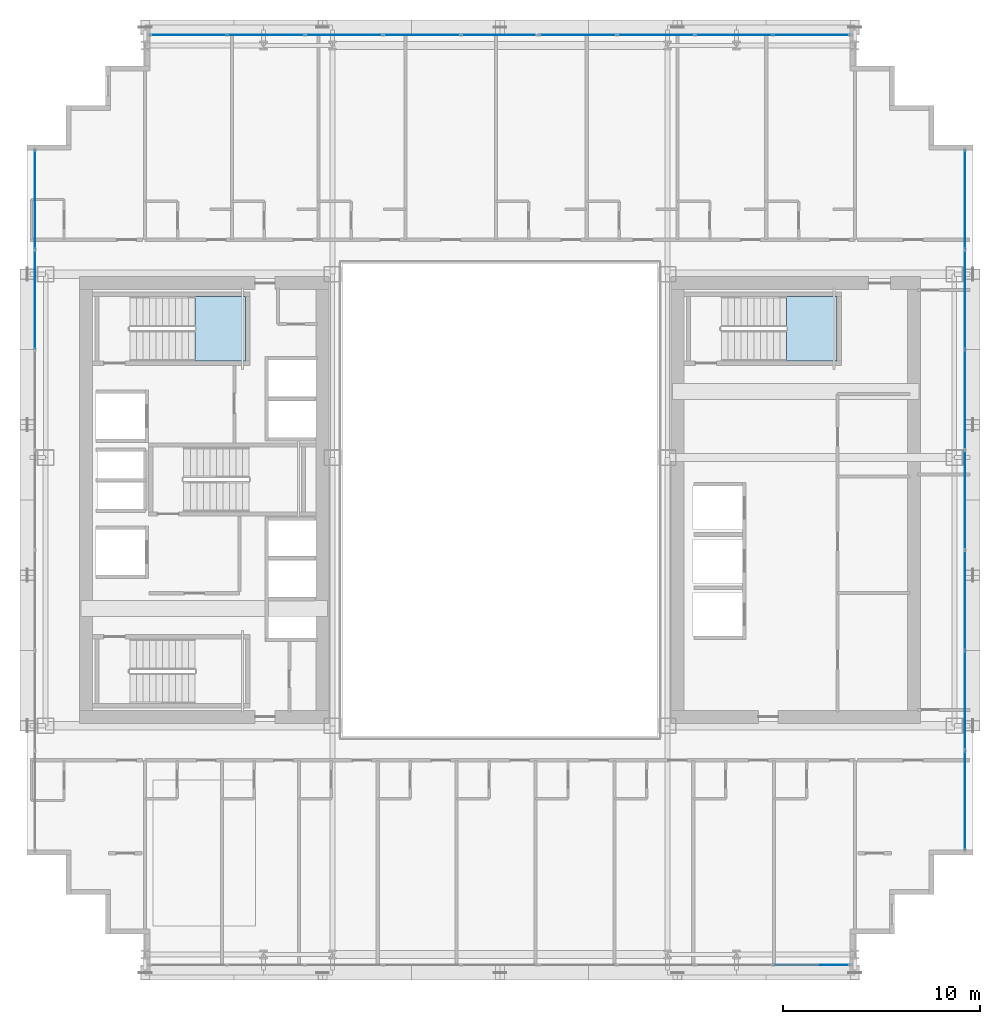
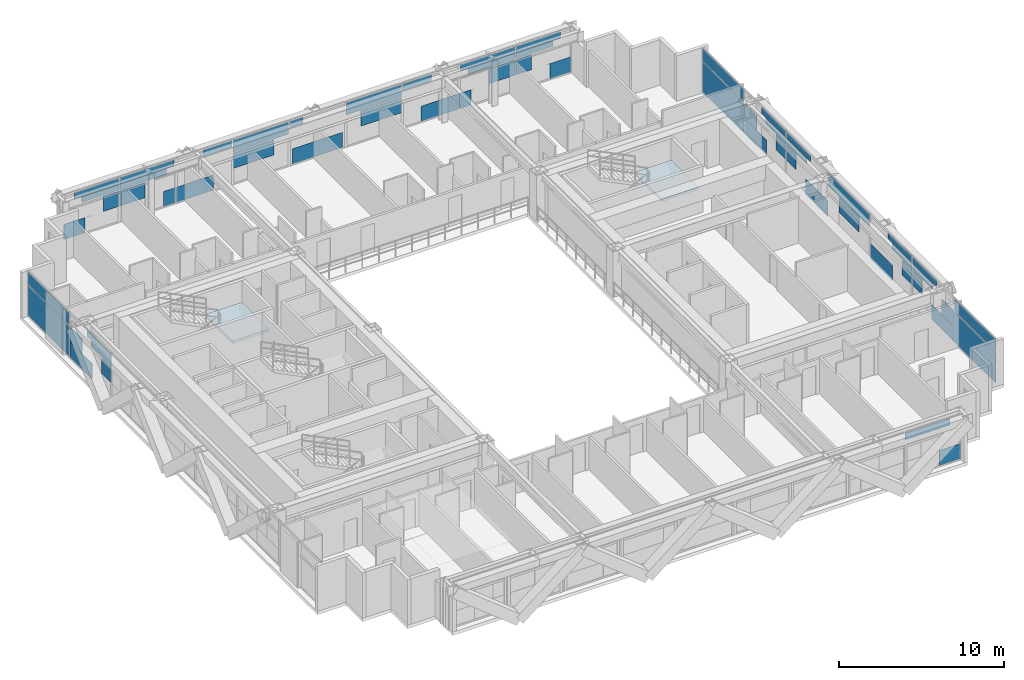
# One storey, part 24 of 36: 59 plates, 2 slabs, 6 elements without a shape of their own.
"""IFC4 building model written with IfcOpenShell, lengths in metres."""

from ifc_helpers import new_model, si_unit, direction, frame, origin, origin_2d, place, context, subcontext, project, spatial, polyline, rectangle, outline, extrude, source, transform, mapped, material, layer, layer_set, type_object, element, aggregate, save


model = new_model("IFC4")

# Units and contexts
model_context = context("Model", 3, precision=1e-05, world=origin(), true_north=direction((0.0, 1.0)))
body_context = subcontext(model_context, "Body", "Model", "MODEL_VIEW")
ifc_project = project(units=[si_unit("LENGTHUNIT", "METRE"), si_unit("AREAUNIT", "SQUARE_METRE"), si_unit("VOLUMEUNIT", "CUBIC_METRE"), si_unit("PLANEANGLEUNIT", "RADIAN"), si_unit("MASSUNIT", "GRAM", prefix="KILO")], contexts=[model_context])

# Site, building, storey
site_placement = place(None, origin())
site = spatial("IfcSite", under=ifc_project, at=site_placement, CompositionType="ELEMENT")
building_placement = place(site_placement, origin())
building = spatial("IfcBuilding", under=site, at=building_placement, Name="Ocotamira Hotel", CompositionType="ELEMENT")
storey_placement = place(building_placement, frame((0.0, 0.0, 136.800048828125)))
storey = spatial("IfcBuildingStorey", under=building, at=storey_placement, Name="L34", CompositionType="ELEMENT", Elevation=136.800048828125)

# Stair, slab
ifc_material_1 = material(Name="Concrete C40/50", Category="concrete")
stair_type = type_object("IfcStairType", Name="ST-CORE-1560", PredefinedType="HALF_TURN_STAIR", material=ifc_material_1)
stair_1_placement = place(storey_placement, origin())
stair_1 = element("IfcStair", 1, at=stair_1_placement, inside=storey, type_object=stair_type, Name="L34 Exit Stair ST-2", PredefinedType="HALF_TURN_STAIR")
ifc_layer_1 = layer(ifc_material_1, 0.199951171875)
ifc_layer_set_1 = layer_set([ifc_layer_1], Name="Concrete C40/50")
slab_type = type_object("IfcSlabType", Name="SLB-LAND-200", PredefinedType="LANDING", material=ifc_layer_set_1)
slab_1_placement = place(storey_placement, frame((0.0, 0.0, 1.599853515625)))
slab_1 = element("IfcSlab", 2, at=slab_1_placement, type_object=slab_type, Name="ST-2 landing 1", PredefinedType="LANDING", context=body_context, shape_type="SweptSolid", body=[
    extrude(outline(polyline([(16.530029296875, 33.050048828125), (19.090087890625, 33.050048828125), (19.090087890625, 36.330078125), (16.530029296875, 36.330078125), (16.530029296875, 33.050048828125)])), origin(), (0.0, 0.0, 1.0), 0.2001953125),
])
aggregate(stair_1, [slab_1])

stair_2_placement = place(storey_placement, origin())
stair_2 = element("IfcStair", 3, at=stair_2_placement, inside=storey, type_object=stair_type, Name="L34 Exit Stair ST-4", PredefinedType="HALF_TURN_STAIR")
slab_2_placement = place(storey_placement, frame((0.0, 0.0, 1.599853515625)))
slab_2 = element("IfcSlab", 4, at=slab_2_placement, type_object=slab_type, Name="ST-4 landing 1", PredefinedType="LANDING", context=body_context, shape_type="SweptSolid", body=[
    extrude(outline(polyline([(46.530029296875, 33.050048828125), (49.090087890625, 33.050048828125), (49.090087890625, 36.330078125), (46.530029296875, 36.330078125), (46.530029296875, 33.050048828125)])), origin(), (0.0, 0.0, 1.0), 0.2001953125),
])
aggregate(stair_2, [slab_2])

# Curtain wall, plate
ifc_material_2 = material(Name="Anodised pale-metal aluminium and solar glass", Category="aluminium")
ifc_layer_2 = layer(ifc_material_2, 0.179931640625)
ifc_layer_set_2 = layer_set([ifc_layer_2], Name="Anodised pale-metal aluminium and solar glass")
curtain_wall_type = type_object("IfcCurtainWallType", Name="CW-SYS3-Z2", PredefinedType="NOTDEFINED", material=ifc_layer_set_2)
curtain_wall_1_placement = place(storey_placement, origin())
curtain_wall_1 = element("IfcCurtainWall", 5, at=curtain_wall_1_placement, inside=storey, type_object=curtain_wall_type, Name="L34 Curtain Wall CW-3 CW-L34-W", PredefinedType="NOTDEFINED")
ifc_material_3 = material(Name="Double-silver low-E insulated solar glass", Category="glass")
ifc_layer_3 = layer(ifc_material_3, 0.031982421875)
ifc_layer_set_3 = layer_set([ifc_layer_3], Name="Double-silver low-E insulated solar glass")
plate_type = type_object("IfcPlateType", Name="CWP-VISION-32", PredefinedType="CURTAIN_PANEL", material=ifc_layer_set_3)
shared_shape_1 = source(origin(), body_context, "Body", "SweptSolid", [
    extrude(rectangle(XDim=4.9658203125, YDim=0.031982421875, at=origin_2d()), origin(), (0.0, 0.0, 1.0), 2.237548828125),
])
plate_1_placement = place(storey_placement, frame((8.419921875, 41.237060546875, 0.07470703125), z_axis=(0.0, 0.0, 1.0), x_axis=(0.0, 1.0, 0.0)))
plate_1 = element("IfcPlate", 6, at=plate_1_placement, type_object=plate_type, Name="CW-3 panel 7.1", PredefinedType="CURTAIN_PANEL", context=body_context, shape_type="MappedRepresentation", body=[
    mapped(shared_shape_1, transform((0.0, 0.0, 0.0), scale=1.0)),
])

# Curtain wall, plates
curtain_wall_2_placement = place(storey_placement, origin())
curtain_wall_2 = element("IfcCurtainWall", 7, at=curtain_wall_2_placement, inside=storey, type_object=curtain_wall_type, Name="L34 Curtain Wall CW-3 CW-L34-E", PredefinedType="NOTDEFINED")
plate_2_placement = place(storey_placement, frame((55.580078125, 10.762939453125, 0.07470703125), z_axis=(0.0, 0.0, 1.0), x_axis=(0.0, 1.0, 0.0)))
plate_2 = element("IfcPlate", 8, at=plate_2_placement, type_object=plate_type, Name="CW-3 panel 1.1", PredefinedType="CURTAIN_PANEL", context=body_context, shape_type="MappedRepresentation", body=[
    mapped(shared_shape_1, transform((0.0, 0.0, 0.0), scale=1.0)),
])
plate_3_placement = place(storey_placement, frame((55.580078125, 41.237060546875, 0.07470703125), z_axis=(0.0, 0.0, 1.0), x_axis=(0.0, 1.0, 0.0)))
plate_3 = element("IfcPlate", 9, at=plate_3_placement, type_object=plate_type, Name="CW-3 panel 7.1", PredefinedType="CURTAIN_PANEL", context=body_context, shape_type="MappedRepresentation", body=[
    mapped(shared_shape_1, transform((0.0, 0.0, 0.0), scale=1.0)),
])

curtain_wall_3_placement = place(storey_placement, origin())
curtain_wall_3 = element("IfcCurtainWall", 10, at=curtain_wall_3_placement, inside=storey, type_object=curtain_wall_type, Name="L34 Curtain Wall CW-3 CW-L34-N", PredefinedType="NOTDEFINED")
shared_shape_2 = source(origin(), body_context, "Body", "SweptSolid", [
    extrude(rectangle(XDim=3.87548828125, YDim=0.031982421875, at=origin_2d()), origin(), (0.0, 0.0, 1.0), 0.8974609375),
])
plate_4_placement = place(storey_placement, frame((28.04443359375, 49.580078125, 2.387451171875), z_axis=(0.0, 0.0, 1.0), x_axis=(1.0, 0.0, 0.0)))
plate_4 = element("IfcPlate", 11, at=plate_4_placement, type_object=plate_type, Name="CW-3 panel 4.2", PredefinedType="CURTAIN_PANEL", context=body_context, shape_type="MappedRepresentation", body=[
    mapped(shared_shape_2, transform((0.0, 0.0, 0.0), scale=1.0)),
])
plate_5_placement = place(storey_placement, frame((35.95556640625, 49.580078125, 2.387451171875), z_axis=(0.0, 0.0, 1.0), x_axis=(1.0, 0.0, 0.0)))
plate_5 = element("IfcPlate", 12, at=plate_5_placement, type_object=plate_type, Name="CW-3 panel 6.2", PredefinedType="CURTAIN_PANEL", context=body_context, shape_type="MappedRepresentation", body=[
    mapped(shared_shape_2, transform((0.0, 0.0, 0.0), scale=1.0)),
])

# Plate
shared_shape_3 = source(origin(), body_context, "Body", "SweptSolid", [
    extrude(rectangle(XDim=4.9658203125, YDim=0.031982421875, at=origin_2d()), origin(), (0.0, 0.0, 1.0), 0.8974609375),
])
plate_6_placement = place(storey_placement, frame((8.419921875, 41.237060546875, 2.387451171875), z_axis=(0.0, 0.0, 1.0), x_axis=(0.0, 1.0, 0.0)))
plate_6 = element("IfcPlate", 13, at=plate_6_placement, type_object=plate_type, Name="CW-3 panel 7.2", PredefinedType="CURTAIN_PANEL", context=body_context, shape_type="MappedRepresentation", body=[
    mapped(shared_shape_3, transform((0.0, 0.0, 0.0), scale=1.0)),
])

plate_7_placement = place(storey_placement, frame((55.580078125, 10.762939453125, 2.387451171875), z_axis=(0.0, 0.0, 1.0), x_axis=(0.0, 1.0, 0.0)))
plate_7 = element("IfcPlate", 14, at=plate_7_placement, type_object=plate_type, Name="CW-3 panel 1.2", PredefinedType="CURTAIN_PANEL", context=body_context, shape_type="MappedRepresentation", body=[
    mapped(shared_shape_3, transform((0.0, 0.0, 0.0), scale=1.0)),
])

plate_8_placement = place(storey_placement, frame((55.580078125, 41.237060546875, 2.387451171875), z_axis=(0.0, 0.0, 1.0), x_axis=(0.0, 1.0, 0.0)))
plate_8 = element("IfcPlate", 15, at=plate_8_placement, type_object=plate_type, Name="CW-3 panel 7.2", PredefinedType="CURTAIN_PANEL", context=body_context, shape_type="MappedRepresentation", body=[
    mapped(shared_shape_3, transform((0.0, 0.0, 0.0), scale=1.0)),
])

shared_shape_4 = source(origin(), body_context, "Body", "SweptSolid", [
    extrude(rectangle(XDim=2.404296875, YDim=0.031982421875, at=origin_2d()), origin(), (0.0, 0.0, 1.0), 1.118896484375),
])
plate_9_placement = place(storey_placement, frame((55.580078125, 26.0, 1.193359375), z_axis=(0.0, 0.0, 1.0), x_axis=(0.0, 1.0, 0.0)))
plate_9 = element("IfcPlate", 16, at=plate_9_placement, type_object=plate_type, Name="CW-3 panel 4.1.1", PredefinedType="CURTAIN_PANEL", context=body_context, shape_type="MappedRepresentation", body=[
    mapped(shared_shape_4, transform((0.0, 0.0, 0.0), scale=1.0)),
])

# Curtain wall, plate
curtain_wall_4_placement = place(storey_placement, origin())
curtain_wall_4 = element("IfcCurtainWall", 17, at=curtain_wall_4_placement, inside=storey, type_object=curtain_wall_type, Name="L34 Curtain Wall CW-3 CW-L34-S1", PredefinedType="NOTDEFINED")
shared_shape_5 = source(origin(), body_context, "Body", "SweptSolid", [
    extrude(rectangle(XDim=1.47509765625, YDim=0.031982421875, at=origin_2d()), origin(), (0.0, 0.0, 1.0), 1.118896484375),
])
plate_10_placement = place(storey_placement, frame((48.982421875, 2.419921875, 0.07470703125), z_axis=(0.0, 0.0, 1.0), x_axis=(1.0, 0.0, 0.0)))
plate_10 = element("IfcPlate", 18, at=plate_10_placement, type_object=plate_type, Name="CW-3 panel 9.1.2", PredefinedType="CURTAIN_PANEL", context=body_context, shape_type="MappedRepresentation", body=[
    mapped(shared_shape_5, transform((0.0, 0.0, 0.0), scale=1.0)),
])

# Plate
plate_11_placement = place(storey_placement, frame((15.017578125, 49.580078125, 0.07470703125), z_axis=(0.0, 0.0, 1.0), x_axis=(1.0, 0.0, 0.0)))
plate_11 = element("IfcPlate", 19, at=plate_11_placement, type_object=plate_type, Name="CW-3 panel 1.1.1", PredefinedType="CURTAIN_PANEL", context=body_context, shape_type="MappedRepresentation", body=[
    mapped(shared_shape_5, transform((0.0, 0.0, 0.0), scale=1.0)),
])

plate_12_placement = place(storey_placement, frame((48.982421875, 49.580078125, 0.07470703125), z_axis=(0.0, 0.0, 1.0), x_axis=(1.0, 0.0, 0.0)))
plate_12 = element("IfcPlate", 20, at=plate_12_placement, type_object=plate_type, Name="CW-3 panel 9.1.2", PredefinedType="CURTAIN_PANEL", context=body_context, shape_type="MappedRepresentation", body=[
    mapped(shared_shape_5, transform((0.0, 0.0, 0.0), scale=1.0)),
])

shared_shape_6 = source(origin(), body_context, "Body", "SweptSolid", [
    extrude(rectangle(XDim=3.104248046875, YDim=0.031982421875, at=origin_2d()), origin(), (0.0, 0.0, 1.0), 0.4716796875),
])
plate_13_placement = place(storey_placement, frame((47.4365234375, 2.419921875, 2.813232421875), z_axis=(0.0, 0.0, 1.0), x_axis=(1.0, 0.0, 0.0)))
plate_13 = element("IfcPlate", 21, at=plate_13_placement, type_object=plate_type, Name="CW-3 panel 9.2.2", PredefinedType="CURTAIN_PANEL", context=body_context, shape_type="MappedRepresentation", body=[
    mapped(shared_shape_6, transform((0.0, 0.0, 0.0), scale=1.0)),
])

aggregate(curtain_wall_4, [plate_10, plate_13])

plate_14_placement = place(storey_placement, frame((16.5634765625, 49.580078125, 2.813232421875), z_axis=(0.0, 0.0, 1.0), x_axis=(1.0, 0.0, 0.0)))
plate_14 = element("IfcPlate", 22, at=plate_14_placement, type_object=plate_type, Name="CW-3 panel 1.2.1", PredefinedType="CURTAIN_PANEL", context=body_context, shape_type="MappedRepresentation", body=[
    mapped(shared_shape_6, transform((0.0, 0.0, 0.0), scale=1.0)),
])

plate_15_placement = place(storey_placement, frame((47.4365234375, 49.580078125, 2.813232421875), z_axis=(0.0, 0.0, 1.0), x_axis=(1.0, 0.0, 0.0)))
plate_15 = element("IfcPlate", 23, at=plate_15_placement, type_object=plate_type, Name="CW-3 panel 9.2.2", PredefinedType="CURTAIN_PANEL", context=body_context, shape_type="MappedRepresentation", body=[
    mapped(shared_shape_6, transform((0.0, 0.0, 0.0), scale=1.0)),
])

shared_shape_7 = source(origin(), body_context, "Body", "SweptSolid", [
    extrude(rectangle(XDim=2.572021484375, YDim=0.031982421875, at=origin_2d()), origin(), (0.0, 0.0, 1.0), 0.39453125),
])
plate_16_placement = place(storey_placement, frame((16.82958984375, 49.580078125, 2.387451171875), z_axis=(0.0, 0.0, 1.0), x_axis=(1.0, 0.0, 0.0)))
plate_16 = element("IfcPlate", 24, at=plate_16_placement, type_object=plate_type, Name="CW-3 panel 1.2.2", PredefinedType="CURTAIN_PANEL", context=body_context, shape_type="MappedRepresentation", body=[
    mapped(shared_shape_7, transform((0.0, 0.0, 0.0), scale=1.0)),
])

plate_17_placement = place(storey_placement, frame((47.17041015625, 49.580078125, 2.387451171875), z_axis=(0.0, 0.0, 1.0), x_axis=(1.0, 0.0, 0.0)))
plate_17 = element("IfcPlate", 25, at=plate_17_placement, type_object=plate_type, Name="CW-3 panel 9.2.1", PredefinedType="CURTAIN_PANEL", context=body_context, shape_type="MappedRepresentation", body=[
    mapped(shared_shape_7, transform((0.0, 0.0, 0.0), scale=1.0)),
])

shared_shape_8 = source(origin(), body_context, "Body", "SweptSolid", [
    extrude(rectangle(XDim=0.826171875, YDim=0.031982421875, at=origin_2d()), origin(), (0.0, 0.0, 1.0), 1.118896484375),
])
plate_18_placement = place(storey_placement, frame((21.658203125, 49.580078125, 0.07470703125), z_axis=(0.0, 0.0, 1.0), x_axis=(1.0, 0.0, 0.0)))
plate_18 = element("IfcPlate", 26, at=plate_18_placement, type_object=plate_type, Name="CW-3 panel 2.1.2", PredefinedType="CURTAIN_PANEL", context=body_context, shape_type="MappedRepresentation", body=[
    mapped(shared_shape_8, transform((0.0, 0.0, 0.0), scale=1.0)),
])

plate_19_placement = place(storey_placement, frame((42.341796875, 49.580078125, 0.07470703125), z_axis=(0.0, 0.0, 1.0), x_axis=(1.0, 0.0, 0.0)))
plate_19 = element("IfcPlate", 27, at=plate_19_placement, type_object=plate_type, Name="CW-3 panel 8.1.1", PredefinedType="CURTAIN_PANEL", context=body_context, shape_type="MappedRepresentation", body=[
    mapped(shared_shape_8, transform((0.0, 0.0, 0.0), scale=1.0)),
])

shared_shape_9 = source(origin(), body_context, "Body", "SweptSolid", [
    extrude(rectangle(XDim=3.260986328125, YDim=0.031982421875, at=origin_2d()), origin(), (0.0, 0.0, 1.0), 0.42578125),
])
plate_20_placement = place(storey_placement, frame((19.826171875, 49.580078125, 2.387451171875), z_axis=(0.0, 0.0, 1.0), x_axis=(1.0, 0.0, 0.0)))
plate_20 = element("IfcPlate", 28, at=plate_20_placement, type_object=plate_type, Name="CW-3 panel 2.2.1", PredefinedType="CURTAIN_PANEL", context=body_context, shape_type="MappedRepresentation", body=[
    mapped(shared_shape_9, transform((0.0, 0.0, 0.0), scale=1.0)),
])

plate_21_placement = place(storey_placement, frame((44.173828125, 49.580078125, 2.387451171875), z_axis=(0.0, 0.0, 1.0), x_axis=(1.0, 0.0, 0.0)))
plate_21 = element("IfcPlate", 29, at=plate_21_placement, type_object=plate_type, Name="CW-3 panel 8.2.2", PredefinedType="CURTAIN_PANEL", context=body_context, shape_type="MappedRepresentation", body=[
    mapped(shared_shape_9, transform((0.0, 0.0, 0.0), scale=1.0)),
])

shared_shape_10 = source(origin(), body_context, "Body", "SweptSolid", [
    extrude(rectangle(XDim=3.793212890625, YDim=0.031982421875, at=origin_2d()), origin(), (0.0, 0.0, 1.0), 0.4716796875),
])
plate_22_placement = place(storey_placement, frame((20.09228515625, 49.580078125, 2.813232421875), z_axis=(0.0, 0.0, 1.0), x_axis=(1.0, 0.0, 0.0)))
plate_22 = element("IfcPlate", 30, at=plate_22_placement, type_object=plate_type, Name="CW-3 panel 2.2.2", PredefinedType="CURTAIN_PANEL", context=body_context, shape_type="MappedRepresentation", body=[
    mapped(shared_shape_10, transform((0.0, 0.0, 0.0), scale=1.0)),
])

plate_23_placement = place(storey_placement, frame((43.90771484375, 49.580078125, 2.813232421875), z_axis=(0.0, 0.0, 1.0), x_axis=(1.0, 0.0, 0.0)))
plate_23 = element("IfcPlate", 31, at=plate_23_placement, type_object=plate_type, Name="CW-3 panel 8.2.1", PredefinedType="CURTAIN_PANEL", context=body_context, shape_type="MappedRepresentation", body=[
    mapped(shared_shape_10, transform((0.0, 0.0, 0.0), scale=1.0)),
])

shared_shape_11 = source(origin(), body_context, "Body", "SweptSolid", [
    extrude(rectangle(XDim=2.60400390625, YDim=0.031982421875, at=origin_2d()), origin(), (0.0, 0.0, 1.0), 1.118896484375),
])
plate_24_placement = place(storey_placement, frame((23.453125, 49.580078125, 0.07470703125), z_axis=(0.0, 0.0, 1.0), x_axis=(1.0, 0.0, 0.0)))
plate_24 = element("IfcPlate", 32, at=plate_24_placement, type_object=plate_type, Name="CW-3 panel 3.1.1", PredefinedType="CURTAIN_PANEL", context=body_context, shape_type="MappedRepresentation", body=[
    mapped(shared_shape_11, transform((0.0, 0.0, 0.0), scale=1.0)),
])

plate_25_placement = place(storey_placement, frame((40.546875, 49.580078125, 0.07470703125), z_axis=(0.0, 0.0, 1.0), x_axis=(1.0, 0.0, 0.0)))
plate_25 = element("IfcPlate", 33, at=plate_25_placement, type_object=plate_type, Name="CW-3 panel 7.1.1", PredefinedType="CURTAIN_PANEL", context=body_context, shape_type="MappedRepresentation", body=[
    mapped(shared_shape_11, transform((0.0, 0.0, 0.0), scale=1.0)),
])

shared_shape_12 = source(origin(), body_context, "Body", "SweptSolid", [
    extrude(rectangle(XDim=2.015380859375, YDim=0.031982421875, at=origin_2d()), origin(), (0.0, 0.0, 1.0), 0.4716796875),
])
plate_26_placement = place(storey_placement, frame((25.018798828125, 49.580078125, 2.813232421875), z_axis=(0.0, 0.0, 1.0), x_axis=(1.0, 0.0, 0.0)))
plate_26 = element("IfcPlate", 34, at=plate_26_placement, type_object=plate_type, Name="CW-3 panel 3.2.1", PredefinedType="CURTAIN_PANEL", context=body_context, shape_type="MappedRepresentation", body=[
    mapped(shared_shape_12, transform((0.0, 0.0, 0.0), scale=1.0)),
])

plate_27_placement = place(storey_placement, frame((38.981201171875, 49.580078125, 2.813232421875), z_axis=(0.0, 0.0, 1.0), x_axis=(1.0, 0.0, 0.0)))
plate_27 = element("IfcPlate", 35, at=plate_27_placement, type_object=plate_type, Name="CW-3 panel 7.2.1", PredefinedType="CURTAIN_PANEL", context=body_context, shape_type="MappedRepresentation", body=[
    mapped(shared_shape_12, transform((0.0, 0.0, 0.0), scale=1.0)),
])

shared_shape_13 = source(origin(), body_context, "Body", "SweptSolid", [
    extrude(rectangle(XDim=3.510009765625, YDim=0.031982421875, at=origin_2d()), origin(), (0.0, 0.0, 1.0), 1.118896484375),
])
plate_28_placement = place(storey_placement, frame((32.0, 49.580078125, 0.07470703125), z_axis=(0.0, 0.0, 1.0), x_axis=(1.0, 0.0, 0.0)))
plate_28 = element("IfcPlate", 36, at=plate_28_placement, type_object=plate_type, Name="CW-3 panel 5.1.1", PredefinedType="CURTAIN_PANEL", context=body_context, shape_type="MappedRepresentation", body=[
    mapped(shared_shape_13, transform((0.0, 0.0, 0.0), scale=1.0)),
])

shared_shape_14 = source(origin(), body_context, "Body", "SweptSolid", [
    extrude(rectangle(XDim=0.926513671875, YDim=0.031982421875, at=origin_2d()), origin(), (0.0, 0.0, 1.0), 0.4716796875),
])
plate_29_placement = place(storey_placement, frame((30.525390625, 49.580078125, 2.813232421875), z_axis=(0.0, 0.0, 1.0), x_axis=(1.0, 0.0, 0.0)))
plate_29 = element("IfcPlate", 37, at=plate_29_placement, type_object=plate_type, Name="CW-3 panel 5.2.1", PredefinedType="CURTAIN_PANEL", context=body_context, shape_type="MappedRepresentation", body=[
    mapped(shared_shape_14, transform((0.0, 0.0, 0.0), scale=1.0)),
])

shared_shape_15 = source(origin(), body_context, "Body", "SweptSolid", [
    extrude(rectangle(XDim=2.6728515625, YDim=0.031982421875, at=origin_2d()), origin(), (0.0, 0.0, 1.0), 1.118896484375),
])
plate_30_placement = place(storey_placement, frame((8.419921875, 37.337890625, 0.07470703125), z_axis=(0.0, 0.0, 1.0), x_axis=(0.0, 1.0, 0.0)))
plate_30 = element("IfcPlate", 38, at=plate_30_placement, type_object=plate_type, Name="CW-3 panel 6.1.2", PredefinedType="CURTAIN_PANEL", context=body_context, shape_type="MappedRepresentation", body=[
    mapped(shared_shape_15, transform((0.0, 0.0, 0.0), scale=1.0)),
])

plate_31_placement = place(storey_placement, frame((55.580078125, 14.662109375, 0.07470703125), z_axis=(0.0, 0.0, 1.0), x_axis=(0.0, 1.0, 0.0)))
plate_31 = element("IfcPlate", 39, at=plate_31_placement, type_object=plate_type, Name="CW-3 panel 2.1.1", PredefinedType="CURTAIN_PANEL", context=body_context, shape_type="MappedRepresentation", body=[
    mapped(shared_shape_15, transform((0.0, 0.0, 0.0), scale=1.0)),
])

plate_32_placement = place(storey_placement, frame((55.580078125, 37.337890625, 0.07470703125), z_axis=(0.0, 0.0, 1.0), x_axis=(0.0, 1.0, 0.0)))
plate_32 = element("IfcPlate", 40, at=plate_32_placement, type_object=plate_type, Name="CW-3 panel 6.1.2", PredefinedType="CURTAIN_PANEL", context=body_context, shape_type="MappedRepresentation", body=[
    mapped(shared_shape_15, transform((0.0, 0.0, 0.0), scale=1.0)),
])

shared_shape_16 = source(origin(), body_context, "Body", "SweptSolid", [
    extrude(rectangle(XDim=2.908203125, YDim=0.031982421875, at=origin_2d()), origin(), (0.0, 0.0, 1.0), 0.44873046875),
])
plate_33_placement = place(storey_placement, frame((8.419921875, 35.122802734375, 2.836181640625), z_axis=(0.0, 0.0, 1.0), x_axis=(0.0, 1.0, 0.0)))
plate_33 = element("IfcPlate", 41, at=plate_33_placement, type_object=plate_type, Name="CW-3 panel 6.2.2", PredefinedType="CURTAIN_PANEL", context=body_context, shape_type="MappedRepresentation", body=[
    mapped(shared_shape_16, transform((0.0, 0.0, 0.0), scale=1.0)),
])

plate_34_placement = place(storey_placement, frame((55.580078125, 16.877197265625, 2.836181640625), z_axis=(0.0, 0.0, 1.0), x_axis=(0.0, 1.0, 0.0)))
plate_34 = element("IfcPlate", 42, at=plate_34_placement, type_object=plate_type, Name="CW-3 panel 2.2.1", PredefinedType="CURTAIN_PANEL", context=body_context, shape_type="MappedRepresentation", body=[
    mapped(shared_shape_16, transform((0.0, 0.0, 0.0), scale=1.0)),
])

plate_35_placement = place(storey_placement, frame((55.580078125, 35.122802734375, 2.836181640625), z_axis=(0.0, 0.0, 1.0), x_axis=(0.0, 1.0, 0.0)))
plate_35 = element("IfcPlate", 43, at=plate_35_placement, type_object=plate_type, Name="CW-3 panel 6.2.2", PredefinedType="CURTAIN_PANEL", context=body_context, shape_type="MappedRepresentation", body=[
    mapped(shared_shape_16, transform((0.0, 0.0, 0.0), scale=1.0)),
])

shared_shape_17 = source(origin(), body_context, "Body", "SweptSolid", [
    extrude(rectangle(XDim=2.4326171875, YDim=0.031982421875, at=origin_2d()), origin(), (0.0, 0.0, 1.0), 0.414306640625),
])
plate_36_placement = place(storey_placement, frame((8.419921875, 34.884765625, 2.3876953125), z_axis=(0.0, 0.0, 1.0), x_axis=(0.0, 1.0, 0.0)))
plate_36 = element("IfcPlate", 44, at=plate_36_placement, type_object=plate_type, Name="CW-3 panel 6.2.1", PredefinedType="CURTAIN_PANEL", context=body_context, shape_type="MappedRepresentation", body=[
    mapped(shared_shape_17, transform((0.0, 0.0, 0.0), scale=1.0)),
])

plate_37_placement = place(storey_placement, frame((55.580078125, 17.115234375, 2.3876953125), z_axis=(0.0, 0.0, 1.0), x_axis=(0.0, 1.0, 0.0)))
plate_37 = element("IfcPlate", 45, at=plate_37_placement, type_object=plate_type, Name="CW-3 panel 2.2.2", PredefinedType="CURTAIN_PANEL", context=body_context, shape_type="MappedRepresentation", body=[
    mapped(shared_shape_17, transform((0.0, 0.0, 0.0), scale=1.0)),
])

plate_38_placement = place(storey_placement, frame((55.580078125, 34.884765625, 2.3876953125), z_axis=(0.0, 0.0, 1.0), x_axis=(0.0, 1.0, 0.0)))
plate_38 = element("IfcPlate", 46, at=plate_38_placement, type_object=plate_type, Name="CW-3 panel 6.2.1", PredefinedType="CURTAIN_PANEL", context=body_context, shape_type="MappedRepresentation", body=[
    mapped(shared_shape_17, transform((0.0, 0.0, 0.0), scale=1.0)),
])

shared_shape_18 = source(origin(), body_context, "Body", "SweptSolid", [
    extrude(rectangle(XDim=2.6826171875, YDim=0.031982421875, at=origin_2d()), origin(), (0.0, 0.0, 1.0), 1.118896484375),
])
plate_39_placement = place(storey_placement, frame((55.580078125, 22.075927734375, 0.07470703125), z_axis=(0.0, 0.0, 1.0), x_axis=(0.0, 1.0, 0.0)))
plate_39 = element("IfcPlate", 47, at=plate_39_placement, type_object=plate_type, Name="CW-3 panel 3.1.2", PredefinedType="CURTAIN_PANEL", context=body_context, shape_type="MappedRepresentation", body=[
    mapped(shared_shape_18, transform((0.0, 0.0, 0.0), scale=1.0)),
])

plate_40_placement = place(storey_placement, frame((55.580078125, 29.924072265625, 0.07470703125), z_axis=(0.0, 0.0, 1.0), x_axis=(0.0, 1.0, 0.0)))
plate_40 = element("IfcPlate", 48, at=plate_40_placement, type_object=plate_type, Name="CW-3 panel 5.1.1", PredefinedType="CURTAIN_PANEL", context=body_context, shape_type="MappedRepresentation", body=[
    mapped(shared_shape_18, transform((0.0, 0.0, 0.0), scale=1.0)),
])

shared_shape_19 = source(origin(), body_context, "Body", "SweptSolid", [
    extrude(rectangle(XDim=2.4228515625, YDim=0.031982421875, at=origin_2d()), origin(), (0.0, 0.0, 1.0), 0.414306640625),
])
plate_41_placement = place(storey_placement, frame((55.580078125, 19.622802734375, 2.3876953125), z_axis=(0.0, 0.0, 1.0), x_axis=(0.0, 1.0, 0.0)))
plate_41 = element("IfcPlate", 49, at=plate_41_placement, type_object=plate_type, Name="CW-3 panel 3.2.1", PredefinedType="CURTAIN_PANEL", context=body_context, shape_type="MappedRepresentation", body=[
    mapped(shared_shape_19, transform((0.0, 0.0, 0.0), scale=1.0)),
])

plate_42_placement = place(storey_placement, frame((55.580078125, 32.377197265625, 2.3876953125), z_axis=(0.0, 0.0, 1.0), x_axis=(0.0, 1.0, 0.0)))
plate_42 = element("IfcPlate", 50, at=plate_42_placement, type_object=plate_type, Name="CW-3 panel 5.2.2", PredefinedType="CURTAIN_PANEL", context=body_context, shape_type="MappedRepresentation", body=[
    mapped(shared_shape_19, transform((0.0, 0.0, 0.0), scale=1.0)),
])

shared_shape_20 = source(origin(), body_context, "Body", "SweptSolid", [
    extrude(rectangle(XDim=2.898681640625, YDim=0.031982421875, at=origin_2d()), origin(), (0.0, 0.0, 1.0), 0.44873046875),
])
plate_43_placement = place(storey_placement, frame((55.580078125, 19.860595703125, 2.836181640625), z_axis=(0.0, 0.0, 1.0), x_axis=(0.0, 1.0, 0.0)))
plate_43 = element("IfcPlate", 51, at=plate_43_placement, type_object=plate_type, Name="CW-3 panel 3.2.2", PredefinedType="CURTAIN_PANEL", context=body_context, shape_type="MappedRepresentation", body=[
    mapped(shared_shape_20, transform((0.0, 0.0, 0.0), scale=1.0)),
])

plate_44_placement = place(storey_placement, frame((55.580078125, 32.139404296875, 2.836181640625), z_axis=(0.0, 0.0, 1.0), x_axis=(0.0, 1.0, 0.0)))
plate_44 = element("IfcPlate", 52, at=plate_44_placement, type_object=plate_type, Name="CW-3 panel 5.2.1", PredefinedType="CURTAIN_PANEL", context=body_context, shape_type="MappedRepresentation", body=[
    mapped(shared_shape_20, transform((0.0, 0.0, 0.0), scale=1.0)),
])

shared_shape_21 = source(origin(), body_context, "Body", "SweptSolid", [
    extrude(rectangle(XDim=5.005615234375, YDim=0.031982421875, at=origin_2d()), origin(), (0.0, 0.0, 1.0), 0.8974609375),
])
plate_45_placement = place(storey_placement, frame((55.580078125, 26.0, 2.387451171875), z_axis=(0.0, 0.0, 1.0), x_axis=(0.0, 1.0, 0.0)))
plate_45 = element("IfcPlate", 53, at=plate_45_placement, type_object=plate_type, Name="CW-3 panel 4.2", PredefinedType="CURTAIN_PANEL", context=body_context, shape_type="MappedRepresentation", body=[
    mapped(shared_shape_21, transform((0.0, 0.0, 0.0), scale=1.0)),
])

shared_shape_22 = source(origin(), body_context, "Body", "SweptSolid", [
    extrude(rectangle(XDim=1.079833984375, YDim=0.031982421875, at=origin_2d()), origin(), (0.0, 0.0, 1.0), 1.118896484375),
])
plate_46_placement = place(storey_placement, frame((17.57568359375, 49.580078125, 1.193359375), z_axis=(0.0, 0.0, 1.0), x_axis=(1.0, 0.0, 0.0)))
plate_46 = element("IfcPlate", 54, at=plate_46_placement, type_object=plate_type, Name="CW-3 panel 1.1.2", PredefinedType="CURTAIN_PANEL", context=body_context, shape_type="MappedRepresentation", body=[
    mapped(shared_shape_22, transform((0.0, 0.0, 0.0), scale=1.0)),
])

plate_47_placement = place(storey_placement, frame((46.42431640625, 49.580078125, 1.193359375), z_axis=(0.0, 0.0, 1.0), x_axis=(1.0, 0.0, 0.0)))
plate_47 = element("IfcPlate", 55, at=plate_47_placement, type_object=plate_type, Name="CW-3 panel 9.1.1", PredefinedType="CURTAIN_PANEL", context=body_context, shape_type="MappedRepresentation", body=[
    mapped(shared_shape_22, transform((0.0, 0.0, 0.0), scale=1.0)),
])

shared_shape_23 = source(origin(), body_context, "Body", "SweptSolid", [
    extrude(rectangle(XDim=1.768798828125, YDim=0.031982421875, at=origin_2d()), origin(), (0.0, 0.0, 1.0), 1.118896484375),
])
plate_48_placement = place(storey_placement, frame((19.080078125, 49.580078125, 1.193359375), z_axis=(0.0, 0.0, 1.0), x_axis=(1.0, 0.0, 0.0)))
plate_48 = element("IfcPlate", 56, at=plate_48_placement, type_object=plate_type, Name="CW-3 panel 2.1.1", PredefinedType="CURTAIN_PANEL", context=body_context, shape_type="MappedRepresentation", body=[
    mapped(shared_shape_23, transform((0.0, 0.0, 0.0), scale=1.0)),
])

plate_49_placement = place(storey_placement, frame((44.919921875, 49.580078125, 1.193359375), z_axis=(0.0, 0.0, 1.0), x_axis=(1.0, 0.0, 0.0)))
plate_49 = element("IfcPlate", 57, at=plate_49_placement, type_object=plate_type, Name="CW-3 panel 8.1.2", PredefinedType="CURTAIN_PANEL", context=body_context, shape_type="MappedRepresentation", body=[
    mapped(shared_shape_23, transform((0.0, 0.0, 0.0), scale=1.0)),
])

shared_shape_24 = source(origin(), body_context, "Body", "SweptSolid", [
    extrude(rectangle(XDim=2.857666015625, YDim=0.031982421875, at=origin_2d()), origin(), (0.0, 0.0, 1.0), 1.118896484375),
])
plate_50_placement = place(storey_placement, frame((27.535400390625, 49.580078125, 1.193359375), z_axis=(0.0, 0.0, 1.0), x_axis=(1.0, 0.0, 0.0)))
plate_50 = element("IfcPlate", 58, at=plate_50_placement, type_object=plate_type, Name="CW-3 panel 4.1.1", PredefinedType="CURTAIN_PANEL", context=body_context, shape_type="MappedRepresentation", body=[
    mapped(shared_shape_24, transform((0.0, 0.0, 0.0), scale=1.0)),
])

plate_51_placement = place(storey_placement, frame((36.464599609375, 49.580078125, 1.193359375), z_axis=(0.0, 0.0, 1.0), x_axis=(1.0, 0.0, 0.0)))
plate_51 = element("IfcPlate", 59, at=plate_51_placement, type_object=plate_type, Name="CW-3 panel 6.1.1", PredefinedType="CURTAIN_PANEL", context=body_context, shape_type="MappedRepresentation", body=[
    mapped(shared_shape_24, transform((0.0, 0.0, 0.0), scale=1.0)),
])

aggregate(curtain_wall_3, [plate_11, plate_46, plate_14, plate_16, plate_48, plate_18, plate_20, plate_22, plate_24, plate_26, plate_50, plate_4, plate_28, plate_29, plate_51, plate_5, plate_25, plate_27, plate_19, plate_49, plate_23, plate_21, plate_47, plate_12, plate_17, plate_15])

shared_shape_25 = source(origin(), body_context, "Body", "SweptSolid", [
    extrude(rectangle(XDim=1.48681640625, YDim=0.031982421875, at=origin_2d()), origin(), (0.0, 0.0, 1.0), 1.118896484375),
])
plate_52_placement = place(storey_placement, frame((8.419921875, 37.930908203125, 1.193359375), z_axis=(0.0, 0.0, 1.0), x_axis=(0.0, 1.0, 0.0)))
plate_52 = element("IfcPlate", 60, at=plate_52_placement, type_object=plate_type, Name="CW-3 panel 6.1.3", PredefinedType="CURTAIN_PANEL", context=body_context, shape_type="MappedRepresentation", body=[
    mapped(shared_shape_25, transform((0.0, 0.0, 0.0), scale=1.0)),
])

plate_53_placement = place(storey_placement, frame((55.580078125, 14.069091796875, 1.193359375), z_axis=(0.0, 0.0, 1.0), x_axis=(0.0, 1.0, 0.0)))
plate_53 = element("IfcPlate", 61, at=plate_53_placement, type_object=plate_type, Name="CW-3 panel 2.1.2", PredefinedType="CURTAIN_PANEL", context=body_context, shape_type="MappedRepresentation", body=[
    mapped(shared_shape_25, transform((0.0, 0.0, 0.0), scale=1.0)),
])

plate_54_placement = place(storey_placement, frame((55.580078125, 37.930908203125, 1.193359375), z_axis=(0.0, 0.0, 1.0), x_axis=(0.0, 1.0, 0.0)))
plate_54 = element("IfcPlate", 62, at=plate_54_placement, type_object=plate_type, Name="CW-3 panel 6.1.3", PredefinedType="CURTAIN_PANEL", context=body_context, shape_type="MappedRepresentation", body=[
    mapped(shared_shape_25, transform((0.0, 0.0, 0.0), scale=1.0)),
])

shared_shape_26 = source(origin(), body_context, "Body", "SweptSolid", [
    extrude(rectangle(XDim=1.1669921875, YDim=0.031982421875, at=origin_2d()), origin(), (0.0, 0.0, 1.0), 1.118896484375),
])
plate_55_placement = place(storey_placement, frame((8.419921875, 34.251953125, 1.193359375), z_axis=(0.0, 0.0, 1.0), x_axis=(0.0, 1.0, 0.0)))
plate_55 = element("IfcPlate", 63, at=plate_55_placement, type_object=plate_type, Name="CW-3 panel 6.1.1", PredefinedType="CURTAIN_PANEL", context=body_context, shape_type="MappedRepresentation", body=[
    mapped(shared_shape_26, transform((0.0, 0.0, 0.0), scale=1.0)),
])

aggregate(curtain_wall_1, [plate_55, plate_30, plate_52, plate_36, plate_33, plate_1, plate_6])

plate_56_placement = place(storey_placement, frame((55.580078125, 17.748046875, 1.193359375), z_axis=(0.0, 0.0, 1.0), x_axis=(0.0, 1.0, 0.0)))
plate_56 = element("IfcPlate", 64, at=plate_56_placement, type_object=plate_type, Name="CW-3 panel 2.1.3", PredefinedType="CURTAIN_PANEL", context=body_context, shape_type="MappedRepresentation", body=[
    mapped(shared_shape_26, transform((0.0, 0.0, 0.0), scale=1.0)),
])

plate_57_placement = place(storey_placement, frame((55.580078125, 34.251953125, 1.193359375), z_axis=(0.0, 0.0, 1.0), x_axis=(0.0, 1.0, 0.0)))
plate_57 = element("IfcPlate", 65, at=plate_57_placement, type_object=plate_type, Name="CW-3 panel 6.1.1", PredefinedType="CURTAIN_PANEL", context=body_context, shape_type="MappedRepresentation", body=[
    mapped(shared_shape_26, transform((0.0, 0.0, 0.0), scale=1.0)),
])

shared_shape_27 = source(origin(), body_context, "Body", "SweptSolid", [
    extrude(rectangle(XDim=1.1572265625, YDim=0.031982421875, at=origin_2d()), origin(), (0.0, 0.0, 1.0), 1.118896484375),
])
plate_58_placement = place(storey_placement, frame((55.580078125, 18.989990234375, 1.193359375), z_axis=(0.0, 0.0, 1.0), x_axis=(0.0, 1.0, 0.0)))
plate_58 = element("IfcPlate", 66, at=plate_58_placement, type_object=plate_type, Name="CW-3 panel 3.1.1", PredefinedType="CURTAIN_PANEL", context=body_context, shape_type="MappedRepresentation", body=[
    mapped(shared_shape_27, transform((0.0, 0.0, 0.0), scale=1.0)),
])

plate_59_placement = place(storey_placement, frame((55.580078125, 33.010009765625, 1.193359375), z_axis=(0.0, 0.0, 1.0), x_axis=(0.0, 1.0, 0.0)))
plate_59 = element("IfcPlate", 67, at=plate_59_placement, type_object=plate_type, Name="CW-3 panel 5.1.2", PredefinedType="CURTAIN_PANEL", context=body_context, shape_type="MappedRepresentation", body=[
    mapped(shared_shape_27, transform((0.0, 0.0, 0.0), scale=1.0)),
])

aggregate(curtain_wall_2, [plate_2, plate_7, plate_31, plate_53, plate_56, plate_34, plate_37, plate_58, plate_39, plate_41, plate_43, plate_9, plate_45, plate_40, plate_59, plate_44, plate_42, plate_57, plate_32, plate_54, plate_38, plate_35, plate_3, plate_8])

save(model, "model.ifc")
